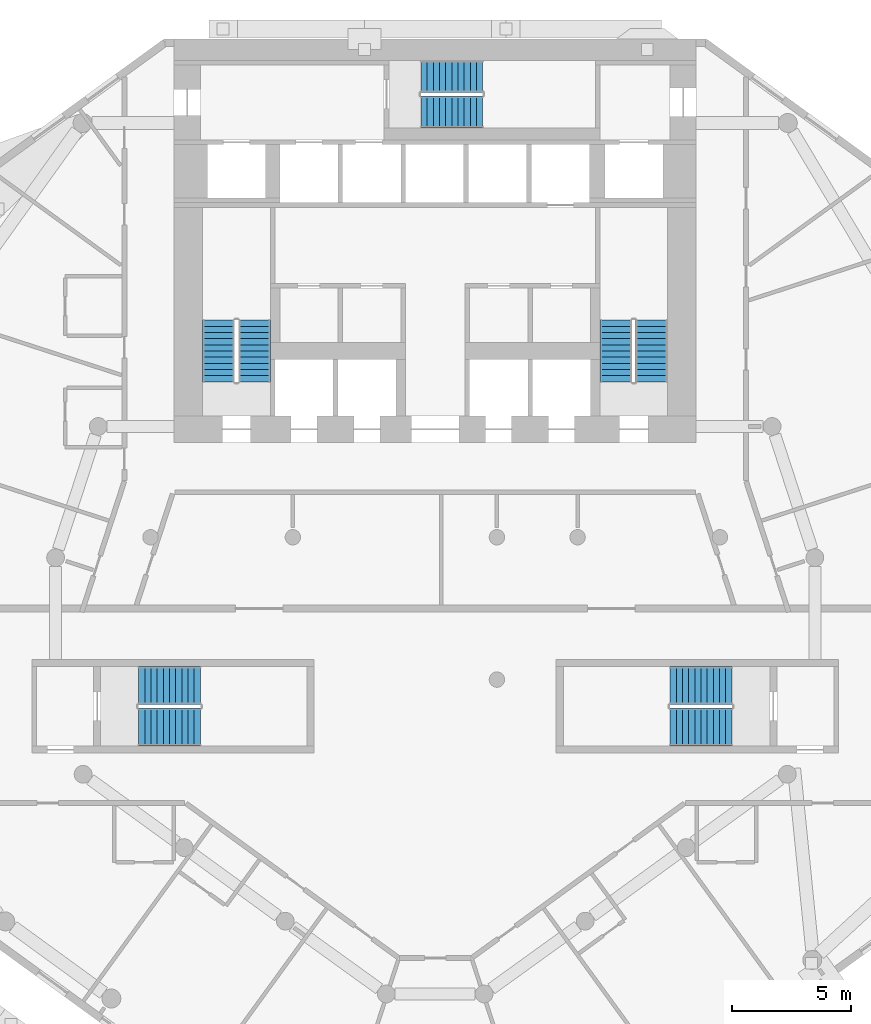
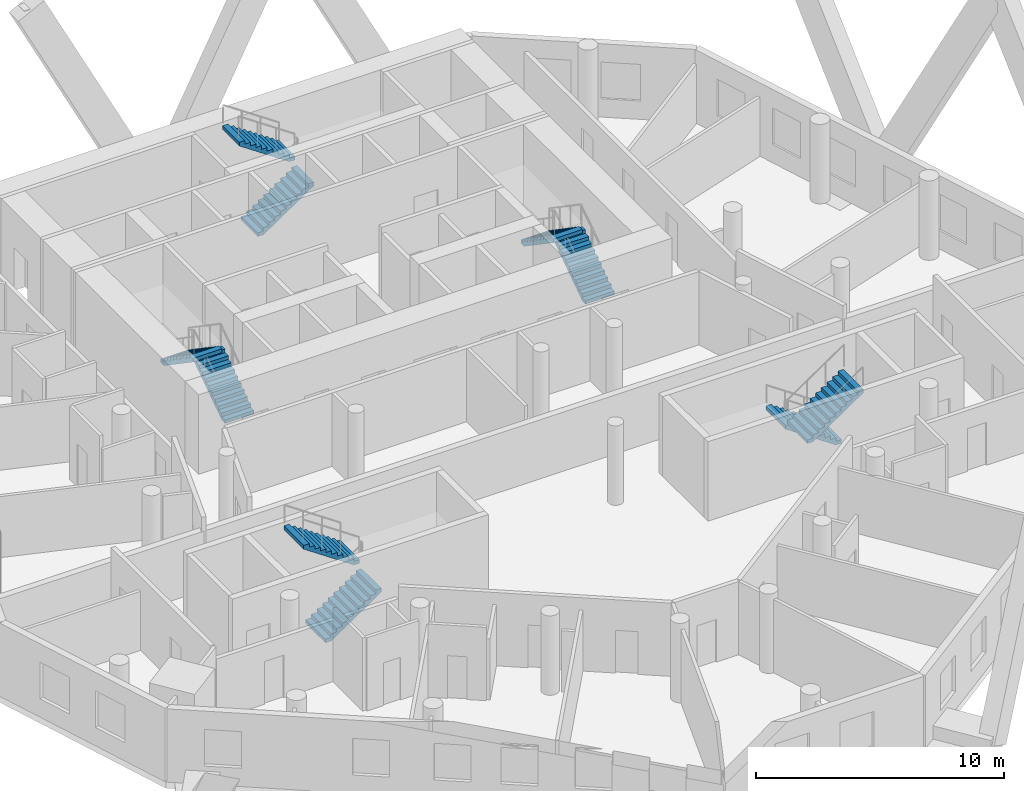
# One storey, part 8 of 10: 10 stair flights, 5 elements without a shape of their own.
"""IFC4 building model written with IfcOpenShell, lengths in metres."""

import ifcopenshell
import ifcopenshell.guid

model = None  # the IFC model being written
_history = None  # IfcOwnerHistory: only IFC2X3 demands one
_inside = {}  # id of a spatial element -> (the spatial element, [elements in it])
_under = {}  # id of a project, library or spatial element -> (it, [spatial elements below it])
_declared = {}  # id of a project -> (the project, [libraries it declares])
_typed = {}  # id of a type object -> (the type object, [elements of that type])
_made_of = {}  # id of a material, layer set ... -> (it, [elements and type objects made of it])


def new_model(schema):
    """Start an empty IFC model of exactly this schema.

    Asked for "IFC4X3", IfcOpenShell would pick the latest addendum, in which some entities
    have other attributes; the version numbers below select the first issue.
    IFC2X3 requires an IfcOwnerHistory on every rooted entity: one is made here for all.
    """
    global model, _history
    if schema == "IFC4X3":
        model = ifcopenshell.file(schema_version=(4, 3, 0, 0))
    else:
        model = ifcopenshell.file(schema=schema)
    _inside.clear()
    _under.clear()
    _declared.clear()
    _typed.clear()
    _made_of.clear()
    _history = None
    if model.schema == "IFC2X3":
        org = make("IfcOrganization", Name="unknown")
        user = make(
            "IfcPersonAndOrganization",
            ThePerson=make("IfcPerson", FamilyName="unknown"),
            TheOrganization=org,
        )
        app = make(
            "IfcApplication",
            ApplicationDeveloper=org,
            Version="unknown",
            ApplicationFullName="unknown",
            ApplicationIdentifier="unknown",
        )
        _history = make(
            "IfcOwnerHistory",
            OwningUser=user,
            OwningApplication=app,
            ChangeAction="ADDED",
            CreationDate=0,
        )
    return model


def make(cls, **values):
    """One entity of the class cls with the attributes given. An attribute that is None is left unset."""
    return model.create_entity(
        cls, **{name: value for name, value in values.items() if value is not None}
    )


def rooted(cls, **values):
    """An entity with a GlobalId (a new one), such as an element, a storey or a relation."""
    return make(cls, GlobalId=ifcopenshell.guid.new(), OwnerHistory=_history, **values)


def si_unit(unit_type, name, prefix=None):
    """IfcSIUnit, for example si_unit("LENGTHUNIT", "METRE", prefix="MILLI")."""
    return make("IfcSIUnit", UnitType=unit_type, Prefix=prefix, Name=name)


def assignment(units):
    """IfcUnitAssignment: the units of a project."""
    return None if units is None else make("IfcUnitAssignment", Units=units)


def point(xyz):
    """IfcCartesianPoint."""
    return None if xyz is None else make("IfcCartesianPoint", Coordinates=xyz)


def direction(xyz):
    """IfcDirection."""
    return None if xyz is None else make("IfcDirection", DirectionRatios=xyz)


def frame(location, z_axis=None, x_axis=None):
    """IfcAxis2Placement3D, a coordinate frame: its origin and axes. An axis left out is left unset."""
    return make(
        "IfcAxis2Placement3D",
        Location=point(location),
        Axis=direction(z_axis),
        RefDirection=direction(x_axis),
    )


def origin():
    """The frame at (0, 0, 0) with its axes left unset."""
    return frame((0.0, 0.0, 0.0))


def place(relative_to, where):
    """IfcLocalPlacement: puts the frame where relative to a parent placement (None: the world)."""
    return make(
        "IfcLocalPlacement", PlacementRelTo=relative_to, RelativePlacement=where
    )


def context(
    kind, dimensions, precision=None, world=None, true_north=None, identifier=None
):
    """IfcGeometricRepresentationContext, for example the 3D "Model" context."""
    return make(
        "IfcGeometricRepresentationContext",
        ContextIdentifier=identifier,
        ContextType=kind,
        CoordinateSpaceDimension=dimensions,
        Precision=precision,
        WorldCoordinateSystem=world,
        TrueNorth=true_north,
    )


def subcontext(parent, identifier, kind, view, scale=None):
    """IfcGeometricRepresentationSubContext, for example "Body" below "Model"."""
    return make(
        "IfcGeometricRepresentationSubContext",
        ContextIdentifier=identifier,
        ContextType=kind,
        ParentContext=parent,
        TargetScale=scale,
        TargetView=view,
    )


def project(units=None, contexts=None):
    """IfcProject with its units and contexts."""
    return rooted(
        "IfcProject",
        Name="project",
        RepresentationContexts=contexts,
        UnitsInContext=assignment(units),
    )


def spatial(cls, under=None, at=None, **own):
    """A site, building, storey or space (cls), placed at a placement, below another one or the project."""
    s = rooted(cls, ObjectPlacement=at, **own)
    if under is not None:
        _under.setdefault(under.id(), (under, []))[1].append(s)
    return s


def polyline(points):
    """IfcPolyline through the points."""
    return make("IfcPolyline", Points=[point(p) for p in points])


def outline(outer, holes=None, kind="AREA"):
    """IfcArbitraryClosedProfileDef: a profile drawn as a closed curve; with holes, ...WithVoids."""
    if holes is None:
        return make("IfcArbitraryClosedProfileDef", ProfileType=kind, OuterCurve=outer)
    return make(
        "IfcArbitraryProfileDefWithVoids",
        ProfileType=kind,
        OuterCurve=outer,
        InnerCurves=holes,
    )


def extrude(swept, where, along, depth):
    """IfcExtrudedAreaSolid: the profile swept, set in the frame where, extruded along a direction by depth."""
    return make(
        "IfcExtrudedAreaSolid",
        SweptArea=swept,
        Position=where,
        ExtrudedDirection=direction(along),
        Depth=depth,
    )


def shape(context_of_items, identifier, shape_type, items):
    """IfcShapeRepresentation: the items that make up one representation, for example the "Body"."""
    return make(
        "IfcShapeRepresentation",
        ContextOfItems=context_of_items,
        RepresentationIdentifier=identifier,
        RepresentationType=shape_type,
        Items=items,
    )


def material(Name=None, Category=None):
    """IfcMaterial."""
    return make("IfcMaterial", Name=Name, Category=Category)


def layer(
    of_material, thickness, ventilated=None, Name=None, Category=None, Priority=None
):
    """IfcMaterialLayer: one layer of a wall or slab, of a material (None: an air gap)."""
    return make(
        "IfcMaterialLayer",
        Material=of_material,
        LayerThickness=thickness,
        IsVentilated=ventilated,
        Name=Name,
        Category=Category,
        Priority=Priority,
    )


def layer_set(layers, Name=None):
    """IfcMaterialLayerSet."""
    return make("IfcMaterialLayerSet", MaterialLayers=layers, LayerSetName=Name)


def made_of(thing, what):
    """Note that an element or type object is made of a material, layer set ...; save() writes the relation."""
    if what is not None:
        _made_of.setdefault(what.id(), (what, []))[1].append(thing)
    return thing


def type_object(cls, material=None, **own):
    """A type object (cls), such as IfcWallType, which elements share."""
    return made_of(rooted(cls, **own), material)


def element(
    cls,
    number,
    at=None,
    inside=None,
    cuts=None,
    type_object=None,
    material=None,
    context=None,
    identifier="Body",
    shape_type=None,
    held_by="IfcProductDefinitionShape",
    body=None,
    shapes=None,
    **own,
):
    """One element of the class cls, such as IfcWall. Its Tag is "e" and its number.

    at: its placement. inside: the storey or other place that contains it. cuts: it is an
    opening in that element (IfcRelVoidsElement). A single representation is given by context,
    identifier, shape_type and body (its items); several are given by shapes. held_by: the class
    of the entity that holds the representations. save() writes the other relations.
    """
    e = rooted(cls, Tag="e%d" % number, ObjectPlacement=at, **own)
    if body is not None:
        shapes = [shape(context, identifier, shape_type, body)]
    if shapes is not None:
        e.Representation = make(held_by, Representations=shapes)
    if inside is not None:
        _inside.setdefault(inside.id(), (inside, []))[1].append(e)
    if cuts is not None:
        rooted(
            "IfcRelVoidsElement", RelatingBuildingElement=cuts, RelatedOpeningElement=e
        )
    if type_object is not None:
        _typed.setdefault(type_object.id(), (type_object, []))[1].append(e)
    return made_of(e, material)


def aggregate(whole, parts):
    """IfcRelAggregates: a whole, such as a stair, and the parts it consists of."""
    return rooted("IfcRelAggregates", RelatingObject=whole, RelatedObjects=parts)


def save(model, path):
    """Write the relations noted so far, then the file.

    IfcRelAggregates (storeys below a building ...), IfcRelContainedInSpatialStructure (elements
    in a storey), IfcRelDefinesByType, IfcRelAssociatesMaterial and IfcRelDeclares: one each for
    every whole, place, type object, material and project.
    """
    for whole, parts in _under.values():
        aggregate(whole, parts)
    for where, things in _inside.values():
        rooted(
            "IfcRelContainedInSpatialStructure",
            RelatedElements=things,
            RelatingStructure=where,
        )
    for kind, things in _typed.values():
        rooted("IfcRelDefinesByType", RelatedObjects=things, RelatingType=kind)
    for what, things in _made_of.values():
        rooted("IfcRelAssociatesMaterial", RelatedObjects=things, RelatingMaterial=what)
    for by, libraries in _declared.values():
        rooted("IfcRelDeclares", RelatingContext=by, RelatedDefinitions=libraries)
    model.write(path)


model = new_model("IFC4")

# Units and contexts
model_context = context("Model", 3, precision=1e-05, world=origin(), true_north=direction((0.0, 1.0)))
body_context = subcontext(model_context, "Body", "Model", "MODEL_VIEW")
ifc_project = project(units=[si_unit("LENGTHUNIT", "METRE"), si_unit("AREAUNIT", "SQUARE_METRE"), si_unit("VOLUMEUNIT", "CUBIC_METRE"), si_unit("PLANEANGLEUNIT", "RADIAN"), si_unit("MASSUNIT", "GRAM", prefix="KILO")], contexts=[model_context])

# Site, building, storey
site_placement = place(None, origin())
site = spatial("IfcSite", under=ifc_project, at=site_placement, CompositionType="ELEMENT")
building_placement = place(site_placement, origin())
building = spatial("IfcBuilding", under=site, at=building_placement, Name="White Candle Pilgrim Tower", CompositionType="ELEMENT")
storey_placement = place(building_placement, frame((0.0, 0.0, 114.199951171875)))
storey = spatial("IfcBuildingStorey", under=building, at=storey_placement, Name="L25", CompositionType="ELEMENT", Elevation=114.199951171875)

# Stair, stair flights
ifc_material = material(Name="Concrete C40/50", Category="concrete")
stair_type_1 = type_object("IfcStairType", Name="Exit stair 1 flight width 1350 mm", PredefinedType="HALF_TURN_STAIR", material=ifc_material)
stair_1_placement = place(storey_placement, origin())
stair_1 = element("IfcStair", 1, at=stair_1_placement, inside=storey, type_object=stair_type_1, Name="L25 stair 1", PredefinedType="NOTDEFINED")
ifc_layer = layer(ifc_material, 0.14990234375)
ifc_layer_set = layer_set([ifc_layer], Name="Stair flight Concrete C40/50")
stair_flight_type = type_object("IfcStairFlightType", Name="Stair flight Concrete C40/50", PredefinedType="STRAIGHT", material=ifc_layer_set)
stair_flight_1_placement = place(storey_placement, frame((62.375, 73.550048828125, 0.0), z_axis=(0.0, 0.0, 1.0), x_axis=(0.0, 1.0, 0.0)))
stair_flight_1 = element("IfcStairFlight", 2, at=stair_flight_1_placement, type_object=stair_flight_type, Name="ST1 flight 1", NumberOfRisers=11, NumberOfTreads=10, PredefinedType="NOTDEFINED", RiserHeight=0.177272727, TreadLength=0.26, context=body_context, shape_type="SweptSolid", body=[
    extrude(outline(polyline([(0.0, 0.0), (0.0, 0.17724609375), (0.260009765625, 0.17724609375), (0.260009765625, 0.3544921875), (0.52001953125, 0.3544921875), (0.52001953125, 0.53173828125), (0.780029296875, 0.53173828125), (0.780029296875, 0.708984375), (1.0400390625, 0.708984375), (1.0400390625, 0.886474609375), (1.300048828125, 0.886474609375), (1.300048828125, 1.063720703125), (1.56005859375, 1.063720703125), (1.56005859375, 1.240966796875), (1.820068359375, 1.240966796875), (1.820068359375, 1.418212890625), (2.080078125, 1.418212890625), (2.080078125, 1.595458984375), (2.340087890625, 1.595458984375), (2.340087890625, 1.772705078125), (2.60009765625, 1.772705078125), (2.60009765625, 1.949951171875), (2.60009765625, 1.59130859375), (0.26611328125, 0.0), (0.0, 0.0)])), frame((0.0, 0.675048828125, 0.0), z_axis=(0.0, -1.0, 0.0), x_axis=(1.0, 0.0, 0.0)), (0.0, 0.0, 1.0), 1.35009765625),
])
stair_flight_2_placement = place(storey_placement, frame((60.875, 76.14990234375, 1.949951171875), z_axis=(0.0, 0.0, 1.0), x_axis=(0.0, -1.0, 0.0)))
stair_flight_2 = element("IfcStairFlight", 3, at=stair_flight_2_placement, type_object=stair_flight_type, Name="ST1 flight 2", NumberOfRisers=11, NumberOfTreads=10, PredefinedType="NOTDEFINED", RiserHeight=0.177272727, TreadLength=0.26, context=body_context, shape_type="SweptSolid", body=[
    extrude(outline(polyline([(0.0, 0.0), (0.0, 0.17724609375), (0.260009765625, 0.17724609375), (0.260009765625, 0.3544921875), (0.52001953125, 0.3544921875), (0.52001953125, 0.53173828125), (0.780029296875, 0.53173828125), (0.780029296875, 0.708984375), (1.0400390625, 0.708984375), (1.0400390625, 0.886474609375), (1.300048828125, 0.886474609375), (1.300048828125, 1.063720703125), (1.56005859375, 1.063720703125), (1.56005859375, 1.240966796875), (1.820068359375, 1.240966796875), (1.820068359375, 1.418212890625), (2.080078125, 1.418212890625), (2.080078125, 1.595458984375), (2.340087890625, 1.595458984375), (2.340087890625, 1.772705078125), (2.60009765625, 1.772705078125), (2.60009765625, 1.949951171875), (2.60009765625, 1.59130859375), (0.26611328125, 0.0), (0.0, 0.0)])), frame((0.0, 0.675048828125, 0.0), z_axis=(0.0, -1.0, 0.0), x_axis=(1.0, 0.0, 0.0)), (0.0, 0.0, 1.0), 1.35009765625),
])
aggregate(stair_1, [stair_flight_1, stair_flight_2])

stair_type_2 = type_object("IfcStairType", Name="Exit stair 2 flight width 1350 mm", PredefinedType="HALF_TURN_STAIR", material=ifc_material)
stair_2_placement = place(storey_placement, origin())
stair_2 = element("IfcStair", 4, at=stair_2_placement, inside=storey, type_object=stair_type_2, Name="L25 stair 2", PredefinedType="NOTDEFINED")
stair_flight_3_placement = place(storey_placement, frame((79.125, 73.550048828125, 0.0), z_axis=(0.0, 0.0, 1.0), x_axis=(0.0, 1.0, 0.0)))
stair_flight_3 = element("IfcStairFlight", 5, at=stair_flight_3_placement, type_object=stair_flight_type, Name="ST2 flight 1", NumberOfRisers=11, NumberOfTreads=10, PredefinedType="NOTDEFINED", RiserHeight=0.177272727, TreadLength=0.26, context=body_context, shape_type="SweptSolid", body=[
    extrude(outline(polyline([(0.0, 0.0), (0.0, 0.17724609375), (0.260009765625, 0.17724609375), (0.260009765625, 0.3544921875), (0.52001953125, 0.3544921875), (0.52001953125, 0.53173828125), (0.780029296875, 0.53173828125), (0.780029296875, 0.708984375), (1.0400390625, 0.708984375), (1.0400390625, 0.886474609375), (1.300048828125, 0.886474609375), (1.300048828125, 1.063720703125), (1.56005859375, 1.063720703125), (1.56005859375, 1.240966796875), (1.820068359375, 1.240966796875), (1.820068359375, 1.418212890625), (2.080078125, 1.418212890625), (2.080078125, 1.595458984375), (2.340087890625, 1.595458984375), (2.340087890625, 1.772705078125), (2.60009765625, 1.772705078125), (2.60009765625, 1.949951171875), (2.60009765625, 1.59130859375), (0.26611328125, 0.0), (0.0, 0.0)])), frame((0.0, 0.675048828125, 0.0), z_axis=(0.0, -1.0, 0.0), x_axis=(1.0, 0.0, 0.0)), (0.0, 0.0, 1.0), 1.35009765625),
])
stair_flight_4_placement = place(storey_placement, frame((77.625, 76.14990234375, 1.949951171875), z_axis=(0.0, 0.0, 1.0), x_axis=(0.0, -1.0, 0.0)))
stair_flight_4 = element("IfcStairFlight", 6, at=stair_flight_4_placement, type_object=stair_flight_type, Name="ST2 flight 2", NumberOfRisers=11, NumberOfTreads=10, PredefinedType="NOTDEFINED", RiserHeight=0.177272727, TreadLength=0.26, context=body_context, shape_type="SweptSolid", body=[
    extrude(outline(polyline([(0.0, 0.0), (0.0, 0.17724609375), (0.260009765625, 0.17724609375), (0.260009765625, 0.3544921875), (0.52001953125, 0.3544921875), (0.52001953125, 0.53173828125), (0.780029296875, 0.53173828125), (0.780029296875, 0.708984375), (1.0400390625, 0.708984375), (1.0400390625, 0.886474609375), (1.300048828125, 0.886474609375), (1.300048828125, 1.063720703125), (1.56005859375, 1.063720703125), (1.56005859375, 1.240966796875), (1.820068359375, 1.240966796875), (1.820068359375, 1.418212890625), (2.080078125, 1.418212890625), (2.080078125, 1.595458984375), (2.340087890625, 1.595458984375), (2.340087890625, 1.772705078125), (2.60009765625, 1.772705078125), (2.60009765625, 1.949951171875), (2.60009765625, 1.59130859375), (0.26611328125, 0.0), (0.0, 0.0)])), frame((0.0, 0.675048828125, 0.0), z_axis=(0.0, -1.0, 0.0), x_axis=(1.0, 0.0, 0.0)), (0.0, 0.0, 1.0), 1.35009765625),
])
aggregate(stair_2, [stair_flight_3, stair_flight_4])

stair_type_3 = type_object("IfcStairType", Name="Exit stair 3 flight width 1350 mm", PredefinedType="HALF_TURN_STAIR", material=ifc_material)
stair_3_placement = place(storey_placement, origin())
stair_3 = element("IfcStair", 7, at=stair_3_placement, inside=storey, type_object=stair_type_3, Name="L25 stair 3", PredefinedType="NOTDEFINED")
stair_flight_5_placement = place(storey_placement, frame((69.39990234375, 84.925048828125, 0.0), z_axis=(0.0, 0.0, 1.0), x_axis=(1.0, 0.0, 0.0)))
stair_flight_5 = element("IfcStairFlight", 8, at=stair_flight_5_placement, type_object=stair_flight_type, Name="ST3 flight 1", NumberOfRisers=11, NumberOfTreads=10, PredefinedType="NOTDEFINED", RiserHeight=0.177272727, TreadLength=0.26, context=body_context, shape_type="SweptSolid", body=[
    extrude(outline(polyline([(0.0, 0.0), (0.0, 0.17724609375), (0.260009765625, 0.17724609375), (0.260009765625, 0.3544921875), (0.52001953125, 0.3544921875), (0.52001953125, 0.53173828125), (0.780029296875, 0.53173828125), (0.780029296875, 0.708984375), (1.0400390625, 0.708984375), (1.0400390625, 0.886474609375), (1.300048828125, 0.886474609375), (1.300048828125, 1.063720703125), (1.56005859375, 1.063720703125), (1.56005859375, 1.240966796875), (1.820068359375, 1.240966796875), (1.820068359375, 1.418212890625), (2.080078125, 1.418212890625), (2.080078125, 1.595458984375), (2.340087890625, 1.595458984375), (2.340087890625, 1.772705078125), (2.60009765625, 1.772705078125), (2.60009765625, 1.949951171875), (2.60009765625, 1.59130859375), (0.26611328125, 0.0), (0.0, 0.0)])), frame((0.0, 0.675048828125, 0.0), z_axis=(0.0, -1.0, 0.0), x_axis=(1.0, 0.0, 0.0)), (0.0, 0.0, 1.0), 1.35009765625),
])
stair_flight_6_placement = place(storey_placement, frame((72.0, 86.425048828125, 1.949951171875), z_axis=(0.0, 0.0, 1.0), x_axis=(-1.0, 0.0, 0.0)))
stair_flight_6 = element("IfcStairFlight", 9, at=stair_flight_6_placement, type_object=stair_flight_type, Name="ST3 flight 2", NumberOfRisers=11, NumberOfTreads=10, PredefinedType="NOTDEFINED", RiserHeight=0.177272727, TreadLength=0.26, context=body_context, shape_type="SweptSolid", body=[
    extrude(outline(polyline([(0.0, 0.0), (0.0, 0.17724609375), (0.260009765625, 0.17724609375), (0.260009765625, 0.3544921875), (0.52001953125, 0.3544921875), (0.52001953125, 0.53173828125), (0.780029296875, 0.53173828125), (0.780029296875, 0.708984375), (1.0400390625, 0.708984375), (1.0400390625, 0.886474609375), (1.300048828125, 0.886474609375), (1.300048828125, 1.063720703125), (1.56005859375, 1.063720703125), (1.56005859375, 1.240966796875), (1.820068359375, 1.240966796875), (1.820068359375, 1.418212890625), (2.080078125, 1.418212890625), (2.080078125, 1.595458984375), (2.340087890625, 1.595458984375), (2.340087890625, 1.772705078125), (2.60009765625, 1.772705078125), (2.60009765625, 1.949951171875), (2.60009765625, 1.59130859375), (0.26611328125, 0.0), (0.0, 0.0)])), frame((0.0, 0.675048828125, 0.0), z_axis=(0.0, -1.0, 0.0), x_axis=(1.0, 0.0, 0.0)), (0.0, 0.0, 1.0), 1.35009765625),
])
aggregate(stair_3, [stair_flight_5, stair_flight_6])

stair_type_4 = type_object("IfcStairType", Name="Exit stair 4 flight width 1600 mm", PredefinedType="HALF_TURN_STAIR", material=ifc_material)
stair_4_placement = place(storey_placement, origin())
stair_4 = element("IfcStair", 10, at=stair_4_placement, inside=storey, type_object=stair_type_4, Name="L25 stair 4", PredefinedType="NOTDEFINED")
stair_flight_7_placement = place(storey_placement, frame((82.5, 60.75, 0.0), z_axis=(0.0, 0.0, 1.0), x_axis=(-1.0, 0.0, 0.0)))
stair_flight_7 = element("IfcStairFlight", 11, at=stair_flight_7_placement, type_object=stair_flight_type, Name="ST4 flight 1", NumberOfRisers=11, NumberOfTreads=10, PredefinedType="NOTDEFINED", RiserHeight=0.177272727, TreadLength=0.26, context=body_context, shape_type="SweptSolid", body=[
    extrude(outline(polyline([(0.0, 0.0), (0.0, 0.17724609375), (0.260009765625, 0.17724609375), (0.260009765625, 0.3544921875), (0.52001953125, 0.3544921875), (0.52001953125, 0.53173828125), (0.780029296875, 0.53173828125), (0.780029296875, 0.708984375), (1.0400390625, 0.708984375), (1.0400390625, 0.886474609375), (1.300048828125, 0.886474609375), (1.300048828125, 1.063720703125), (1.56005859375, 1.063720703125), (1.56005859375, 1.240966796875), (1.820068359375, 1.240966796875), (1.820068359375, 1.418212890625), (2.080078125, 1.418212890625), (2.080078125, 1.595458984375), (2.340087890625, 1.595458984375), (2.340087890625, 1.772705078125), (2.60009765625, 1.772705078125), (2.60009765625, 1.949951171875), (2.60009765625, 1.59130859375), (0.26611328125, 0.0), (0.0, 0.0)])), frame((0.0, 0.800048828125, 0.0), z_axis=(0.0, -1.0, 0.0), x_axis=(1.0, 0.0, 0.0)), (0.0, 0.0, 1.0), 1.60009765625),
])
stair_flight_8_placement = place(storey_placement, frame((79.89990234375, 59.0, 1.949951171875), z_axis=(0.0, 0.0, 1.0), x_axis=(1.0, 0.0, 0.0)))
stair_flight_8 = element("IfcStairFlight", 12, at=stair_flight_8_placement, type_object=stair_flight_type, Name="ST4 flight 2", NumberOfRisers=11, NumberOfTreads=10, PredefinedType="NOTDEFINED", RiserHeight=0.177272727, TreadLength=0.26, context=body_context, shape_type="SweptSolid", body=[
    extrude(outline(polyline([(0.0, 0.0), (0.0, 0.17724609375), (0.260009765625, 0.17724609375), (0.260009765625, 0.3544921875), (0.52001953125, 0.3544921875), (0.52001953125, 0.53173828125), (0.780029296875, 0.53173828125), (0.780029296875, 0.708984375), (1.0400390625, 0.708984375), (1.0400390625, 0.886474609375), (1.300048828125, 0.886474609375), (1.300048828125, 1.063720703125), (1.56005859375, 1.063720703125), (1.56005859375, 1.240966796875), (1.820068359375, 1.240966796875), (1.820068359375, 1.418212890625), (2.080078125, 1.418212890625), (2.080078125, 1.595458984375), (2.340087890625, 1.595458984375), (2.340087890625, 1.772705078125), (2.60009765625, 1.772705078125), (2.60009765625, 1.949951171875), (2.60009765625, 1.59130859375), (0.26611328125, 0.0), (0.0, 0.0)])), frame((0.0, 0.800048828125, 0.0), z_axis=(0.0, -1.0, 0.0), x_axis=(1.0, 0.0, 0.0)), (0.0, 0.0, 1.0), 1.60009765625),
])
aggregate(stair_4, [stair_flight_7, stair_flight_8])

stair_type_5 = type_object("IfcStairType", Name="Exit stair 5 flight width 1600 mm", PredefinedType="HALF_TURN_STAIR", material=ifc_material)
stair_5_placement = place(storey_placement, origin())
stair_5 = element("IfcStair", 13, at=stair_5_placement, inside=storey, type_object=stair_type_5, Name="L25 stair 5", PredefinedType="NOTDEFINED")
stair_flight_9_placement = place(storey_placement, frame((57.5, 59.0, 0.0), z_axis=(0.0, 0.0, 1.0), x_axis=(1.0, 0.0, 0.0)))
stair_flight_9 = element("IfcStairFlight", 14, at=stair_flight_9_placement, type_object=stair_flight_type, Name="ST5 flight 1", NumberOfRisers=11, NumberOfTreads=10, PredefinedType="NOTDEFINED", RiserHeight=0.177272727, TreadLength=0.26, context=body_context, shape_type="SweptSolid", body=[
    extrude(outline(polyline([(0.0, 0.0), (0.0, 0.17724609375), (0.260009765625, 0.17724609375), (0.260009765625, 0.3544921875), (0.52001953125, 0.3544921875), (0.52001953125, 0.53173828125), (0.780029296875, 0.53173828125), (0.780029296875, 0.708984375), (1.0400390625, 0.708984375), (1.0400390625, 0.886474609375), (1.300048828125, 0.886474609375), (1.300048828125, 1.063720703125), (1.56005859375, 1.063720703125), (1.56005859375, 1.240966796875), (1.820068359375, 1.240966796875), (1.820068359375, 1.418212890625), (2.080078125, 1.418212890625), (2.080078125, 1.595458984375), (2.340087890625, 1.595458984375), (2.340087890625, 1.772705078125), (2.60009765625, 1.772705078125), (2.60009765625, 1.949951171875), (2.60009765625, 1.59130859375), (0.26611328125, 0.0), (0.0, 0.0)])), frame((0.0, 0.800048828125, 0.0), z_axis=(0.0, -1.0, 0.0), x_axis=(1.0, 0.0, 0.0)), (0.0, 0.0, 1.0), 1.60009765625),
])
stair_flight_10_placement = place(storey_placement, frame((60.10009765625, 60.75, 1.949951171875), z_axis=(0.0, 0.0, 1.0), x_axis=(-1.0, 0.0, 0.0)))
stair_flight_10 = element("IfcStairFlight", 15, at=stair_flight_10_placement, type_object=stair_flight_type, Name="ST5 flight 2", NumberOfRisers=11, NumberOfTreads=10, PredefinedType="NOTDEFINED", RiserHeight=0.177272727, TreadLength=0.26, context=body_context, shape_type="SweptSolid", body=[
    extrude(outline(polyline([(0.0, 0.0), (0.0, 0.17724609375), (0.260009765625, 0.17724609375), (0.260009765625, 0.3544921875), (0.52001953125, 0.3544921875), (0.52001953125, 0.53173828125), (0.780029296875, 0.53173828125), (0.780029296875, 0.708984375), (1.0400390625, 0.708984375), (1.0400390625, 0.886474609375), (1.300048828125, 0.886474609375), (1.300048828125, 1.063720703125), (1.56005859375, 1.063720703125), (1.56005859375, 1.240966796875), (1.820068359375, 1.240966796875), (1.820068359375, 1.418212890625), (2.080078125, 1.418212890625), (2.080078125, 1.595458984375), (2.340087890625, 1.595458984375), (2.340087890625, 1.772705078125), (2.60009765625, 1.772705078125), (2.60009765625, 1.949951171875), (2.60009765625, 1.59130859375), (0.26611328125, 0.0), (0.0, 0.0)])), frame((0.0, 0.800048828125, 0.0), z_axis=(0.0, -1.0, 0.0), x_axis=(1.0, 0.0, 0.0)), (0.0, 0.0, 1.0), 1.60009765625),
])
aggregate(stair_5, [stair_flight_9, stair_flight_10])

save(model, "model.ifc")
